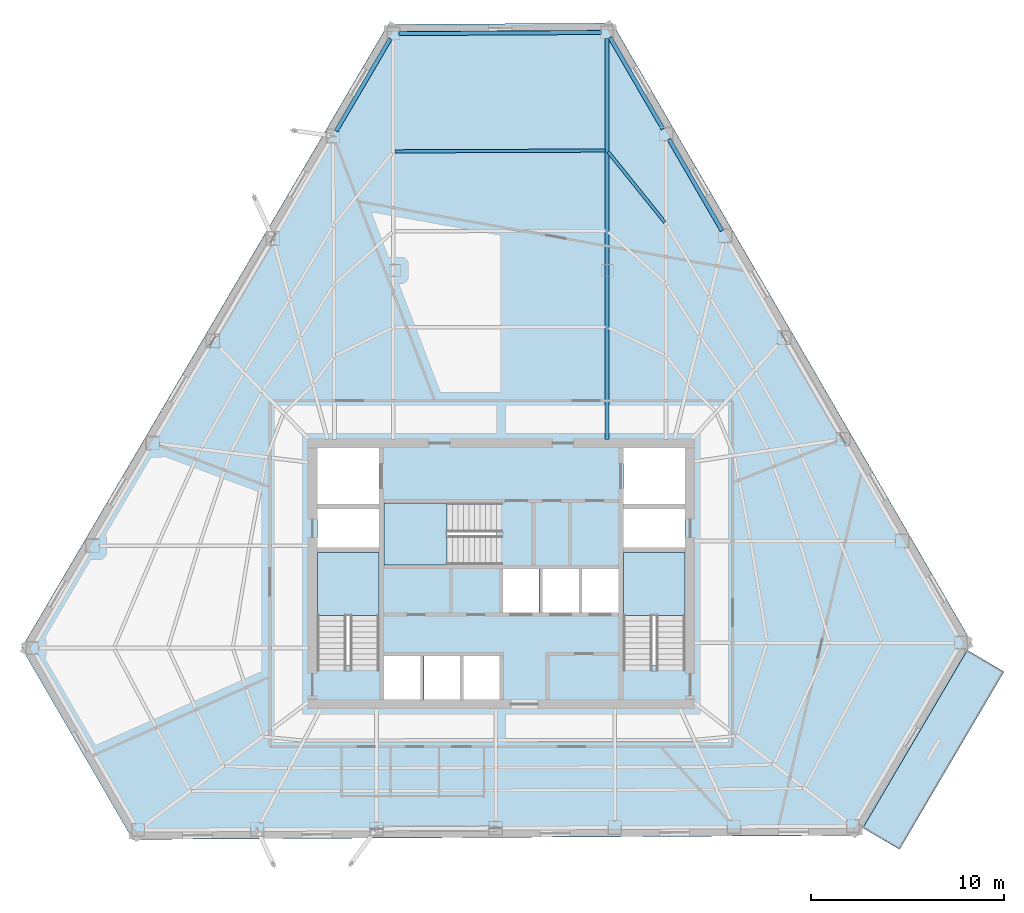
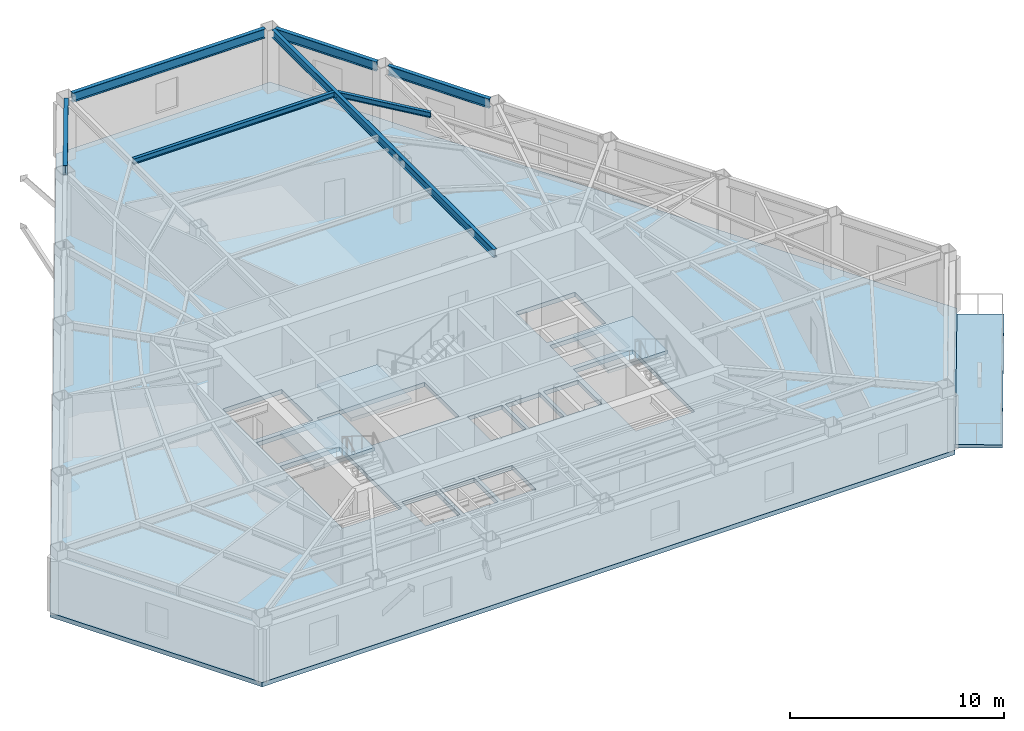
# One storey, part 3 of 11: 7 beams, 5 slabs, 3 elements without a shape of their own.
"""IFC4 building model written with IfcOpenShell, lengths in metres."""

import ifcopenshell
import ifcopenshell.guid

model = None  # the IFC model being written
_history = None  # IfcOwnerHistory: only IFC2X3 demands one
_inside = {}  # id of a spatial element -> (the spatial element, [elements in it])
_under = {}  # id of a project, library or spatial element -> (it, [spatial elements below it])
_declared = {}  # id of a project -> (the project, [libraries it declares])
_typed = {}  # id of a type object -> (the type object, [elements of that type])
_made_of = {}  # id of a material, layer set ... -> (it, [elements and type objects made of it])


def new_model(schema):
    """Start an empty IFC model of exactly this schema.

    Asked for "IFC4X3", IfcOpenShell would pick the latest addendum, in which some entities
    have other attributes; the version numbers below select the first issue.
    IFC2X3 requires an IfcOwnerHistory on every rooted entity: one is made here for all.
    """
    global model, _history
    if schema == "IFC4X3":
        model = ifcopenshell.file(schema_version=(4, 3, 0, 0))
    else:
        model = ifcopenshell.file(schema=schema)
    _inside.clear()
    _under.clear()
    _declared.clear()
    _typed.clear()
    _made_of.clear()
    _history = None
    if model.schema == "IFC2X3":
        org = make("IfcOrganization", Name="unknown")
        user = make(
            "IfcPersonAndOrganization",
            ThePerson=make("IfcPerson", FamilyName="unknown"),
            TheOrganization=org,
        )
        app = make(
            "IfcApplication",
            ApplicationDeveloper=org,
            Version="unknown",
            ApplicationFullName="unknown",
            ApplicationIdentifier="unknown",
        )
        _history = make(
            "IfcOwnerHistory",
            OwningUser=user,
            OwningApplication=app,
            ChangeAction="ADDED",
            CreationDate=0,
        )
    return model


def make(cls, **values):
    """One entity of the class cls with the attributes given. An attribute that is None is left unset."""
    return model.create_entity(
        cls, **{name: value for name, value in values.items() if value is not None}
    )


def rooted(cls, **values):
    """An entity with a GlobalId (a new one), such as an element, a storey or a relation."""
    return make(cls, GlobalId=ifcopenshell.guid.new(), OwnerHistory=_history, **values)


def si_unit(unit_type, name, prefix=None):
    """IfcSIUnit, for example si_unit("LENGTHUNIT", "METRE", prefix="MILLI")."""
    return make("IfcSIUnit", UnitType=unit_type, Prefix=prefix, Name=name)


def assignment(units):
    """IfcUnitAssignment: the units of a project."""
    return None if units is None else make("IfcUnitAssignment", Units=units)


def point(xyz):
    """IfcCartesianPoint."""
    return None if xyz is None else make("IfcCartesianPoint", Coordinates=xyz)


def direction(xyz):
    """IfcDirection."""
    return None if xyz is None else make("IfcDirection", DirectionRatios=xyz)


def frame(location, z_axis=None, x_axis=None):
    """IfcAxis2Placement3D, a coordinate frame: its origin and axes. An axis left out is left unset."""
    return make(
        "IfcAxis2Placement3D",
        Location=point(location),
        Axis=direction(z_axis),
        RefDirection=direction(x_axis),
    )


def frame_2d(location, x_axis=None):
    """IfcAxis2Placement2D, a coordinate frame in the plane: its origin and x axis."""
    return make(
        "IfcAxis2Placement2D", Location=point(location), RefDirection=direction(x_axis)
    )


def origin():
    """The frame at (0, 0, 0) with its axes left unset."""
    return frame((0.0, 0.0, 0.0))


def origin_2d():
    """The frame at (0, 0) in the plane with its x axis left unset."""
    return frame_2d((0.0, 0.0))


def place(relative_to, where):
    """IfcLocalPlacement: puts the frame where relative to a parent placement (None: the world)."""
    return make(
        "IfcLocalPlacement", PlacementRelTo=relative_to, RelativePlacement=where
    )


def context(
    kind, dimensions, precision=None, world=None, true_north=None, identifier=None
):
    """IfcGeometricRepresentationContext, for example the 3D "Model" context."""
    return make(
        "IfcGeometricRepresentationContext",
        ContextIdentifier=identifier,
        ContextType=kind,
        CoordinateSpaceDimension=dimensions,
        Precision=precision,
        WorldCoordinateSystem=world,
        TrueNorth=true_north,
    )


def subcontext(parent, identifier, kind, view, scale=None):
    """IfcGeometricRepresentationSubContext, for example "Body" below "Model"."""
    return make(
        "IfcGeometricRepresentationSubContext",
        ContextIdentifier=identifier,
        ContextType=kind,
        ParentContext=parent,
        TargetScale=scale,
        TargetView=view,
    )


def project(units=None, contexts=None):
    """IfcProject with its units and contexts."""
    return rooted(
        "IfcProject",
        Name="project",
        RepresentationContexts=contexts,
        UnitsInContext=assignment(units),
    )


def spatial(cls, under=None, at=None, **own):
    """A site, building, storey or space (cls), placed at a placement, below another one or the project."""
    s = rooted(cls, ObjectPlacement=at, **own)
    if under is not None:
        _under.setdefault(under.id(), (under, []))[1].append(s)
    return s


def polyline(points):
    """IfcPolyline through the points."""
    return make("IfcPolyline", Points=[point(p) for p in points])


def profile(cls, at=None, kind="AREA", **sizes):
    """A parametric profile (cls). Its sizes go by their IFC names, for example OverallWidth=200.0."""
    return make(cls, ProfileType=kind, Position=at, **sizes)


def i_section(**sizes):
    """IfcIShapeProfileDef."""
    return profile("IfcIShapeProfileDef", **sizes)


def outline(outer, holes=None, kind="AREA"):
    """IfcArbitraryClosedProfileDef: a profile drawn as a closed curve; with holes, ...WithVoids."""
    if holes is None:
        return make("IfcArbitraryClosedProfileDef", ProfileType=kind, OuterCurve=outer)
    return make(
        "IfcArbitraryProfileDefWithVoids",
        ProfileType=kind,
        OuterCurve=outer,
        InnerCurves=holes,
    )


def extrude(swept, where, along, depth):
    """IfcExtrudedAreaSolid: the profile swept, set in the frame where, extruded along a direction by depth."""
    return make(
        "IfcExtrudedAreaSolid",
        SweptArea=swept,
        Position=where,
        ExtrudedDirection=direction(along),
        Depth=depth,
    )


def shape(context_of_items, identifier, shape_type, items):
    """IfcShapeRepresentation: the items that make up one representation, for example the "Body"."""
    return make(
        "IfcShapeRepresentation",
        ContextOfItems=context_of_items,
        RepresentationIdentifier=identifier,
        RepresentationType=shape_type,
        Items=items,
    )


def material(Name=None, Category=None):
    """IfcMaterial."""
    return make("IfcMaterial", Name=Name, Category=Category)


def layer(
    of_material, thickness, ventilated=None, Name=None, Category=None, Priority=None
):
    """IfcMaterialLayer: one layer of a wall or slab, of a material (None: an air gap)."""
    return make(
        "IfcMaterialLayer",
        Material=of_material,
        LayerThickness=thickness,
        IsVentilated=ventilated,
        Name=Name,
        Category=Category,
        Priority=Priority,
    )


def layer_set(layers, Name=None):
    """IfcMaterialLayerSet."""
    return make("IfcMaterialLayerSet", MaterialLayers=layers, LayerSetName=Name)


def material_profile(
    of_material, cross_section, Name=None, Category=None, Priority=None
):
    """IfcMaterialProfile: a cross section and its material."""
    return make(
        "IfcMaterialProfile",
        Name=Name,
        Material=of_material,
        Profile=cross_section,
        Priority=Priority,
        Category=Category,
    )


def profile_set(profiles, Name=None, composite=None):
    """IfcMaterialProfileSet."""
    return make(
        "IfcMaterialProfileSet",
        Name=Name,
        MaterialProfiles=profiles,
        CompositeProfile=composite,
    )


def made_of(thing, what):
    """Note that an element or type object is made of a material, layer set ...; save() writes the relation."""
    if what is not None:
        _made_of.setdefault(what.id(), (what, []))[1].append(thing)
    return thing


def type_object(cls, material=None, **own):
    """A type object (cls), such as IfcWallType, which elements share."""
    return made_of(rooted(cls, **own), material)


def element(
    cls,
    number,
    at=None,
    inside=None,
    cuts=None,
    type_object=None,
    material=None,
    context=None,
    identifier="Body",
    shape_type=None,
    held_by="IfcProductDefinitionShape",
    body=None,
    shapes=None,
    **own,
):
    """One element of the class cls, such as IfcWall. Its Tag is "e" and its number.

    at: its placement. inside: the storey or other place that contains it. cuts: it is an
    opening in that element (IfcRelVoidsElement). A single representation is given by context,
    identifier, shape_type and body (its items); several are given by shapes. held_by: the class
    of the entity that holds the representations. save() writes the other relations.
    """
    e = rooted(cls, Tag="e%d" % number, ObjectPlacement=at, **own)
    if body is not None:
        shapes = [shape(context, identifier, shape_type, body)]
    if shapes is not None:
        e.Representation = make(held_by, Representations=shapes)
    if inside is not None:
        _inside.setdefault(inside.id(), (inside, []))[1].append(e)
    if cuts is not None:
        rooted(
            "IfcRelVoidsElement", RelatingBuildingElement=cuts, RelatedOpeningElement=e
        )
    if type_object is not None:
        _typed.setdefault(type_object.id(), (type_object, []))[1].append(e)
    return made_of(e, material)


def aggregate(whole, parts):
    """IfcRelAggregates: a whole, such as a stair, and the parts it consists of."""
    return rooted("IfcRelAggregates", RelatingObject=whole, RelatedObjects=parts)


def save(model, path):
    """Write the relations noted so far, then the file.

    IfcRelAggregates (storeys below a building ...), IfcRelContainedInSpatialStructure (elements
    in a storey), IfcRelDefinesByType, IfcRelAssociatesMaterial and IfcRelDeclares: one each for
    every whole, place, type object, material and project.
    """
    for whole, parts in _under.values():
        aggregate(whole, parts)
    for where, things in _inside.values():
        rooted(
            "IfcRelContainedInSpatialStructure",
            RelatedElements=things,
            RelatingStructure=where,
        )
    for kind, things in _typed.values():
        rooted("IfcRelDefinesByType", RelatedObjects=things, RelatingType=kind)
    for what, things in _made_of.values():
        rooted("IfcRelAssociatesMaterial", RelatedObjects=things, RelatingMaterial=what)
    for by, libraries in _declared.values():
        rooted("IfcRelDeclares", RelatingContext=by, RelatedDefinitions=libraries)
    model.write(path)


model = new_model("IFC4")

# Units and contexts
model_context = context("Model", 3, precision=1e-05, world=origin(), true_north=direction((0.0, 1.0)))
body_context = subcontext(model_context, "Body", "Model", "MODEL_VIEW")
ifc_project = project(units=[si_unit("LENGTHUNIT", "METRE"), si_unit("AREAUNIT", "SQUARE_METRE"), si_unit("VOLUMEUNIT", "CUBIC_METRE"), si_unit("PLANEANGLEUNIT", "RADIAN"), si_unit("MASSUNIT", "GRAM", prefix="KILO")], contexts=[model_context])

# Site, building, storey
site_placement = place(None, origin())
site = spatial("IfcSite", under=ifc_project, at=site_placement, CompositionType="ELEMENT")
building_placement = place(site_placement, origin())
building = spatial("IfcBuilding", under=site, at=building_placement, Name="Kavelnor Concourse Tower", CompositionType="ELEMENT")
storey_placement = place(building_placement, frame((0.0, 0.0, 139.39990234375)))
storey = spatial("IfcBuildingStorey", under=building, at=storey_placement, Name="L35", CompositionType="ELEMENT", Elevation=139.39990234375)

# Beams
ifc_material_1 = material(Name="Steel Grade 350", Category="steel")
ifc_material_profile_1 = material_profile(ifc_material_1, i_section(OverallWidth=0.166015625, OverallDepth=0.306884765625, WebThickness=0.006591796875, FlangeThickness=0.01171875, at=origin_2d()), Name="310UB46")
ifc_profile_set_1 = profile_set([ifc_material_profile_1], Name="Steel Grade 350")
beam_type_1 = type_object("IfcBeamType", Name="BM-JOIST-310", PredefinedType="JOIST", material=ifc_profile_set_1)
beam_1_placement = place(storey_placement, frame((46.47119140625, 34.28271484375, 3.446533203125), z_axis=(-0.627409366282, 0.778689596117, 0.0), x_axis=(-0.778689596117, -0.627409366282, 0.0)))
element("IfcBeam", 1, at=beam_1_placement, inside=storey, type_object=beam_type_1, Name="L35 Secondary Composite Joist 14-3", PredefinedType="JOIST", context=body_context, shape_type="SweptSolid", body=[
    extrude(i_section(OverallWidth=0.166015625, OverallDepth=0.306884765625, WebThickness=0.006591796875, FlangeThickness=0.01171875, at=origin_2d()), origin(), (0.0, 0.0, 1.0), 4.688232421875),
])
beam_2_placement = place(storey_placement, frame((43.385009765625, 38.002197265625, 3.446533203125), z_axis=(-0.99999202592, -0.0039935067, 0.0), x_axis=(0.0039935067, -0.99999202592, 0.0)))
element("IfcBeam", 2, at=beam_2_placement, inside=storey, type_object=beam_type_1, Name="L35 Secondary Composite Joist 15-3", PredefinedType="JOIST", context=body_context, shape_type="SweptSolid", body=[
    extrude(i_section(OverallWidth=0.166015625, OverallDepth=0.306884765625, WebThickness=0.006591796875, FlangeThickness=0.01171875, at=origin_2d()), origin(), (0.0, 0.0, 1.0), 10.8818359375),
])
ifc_material_profile_2 = material_profile(ifc_material_1, i_section(OverallWidth=0.18994140625, OverallDepth=0.4541015625, WebThickness=0.008544921875, FlangeThickness=0.0126953125, at=origin_2d()), Name="460UB67")
ifc_profile_set_2 = profile_set([ifc_material_profile_2], Name="Steel Grade 350")
beam_type_2 = type_object("IfcBeamType", Name="BM-PRIMARY-460", PredefinedType="BEAM", material=ifc_profile_set_2)
beam_3_placement = place(storey_placement, frame((43.47412109375, 23.06005859375, 3.373046875), z_axis=(0.0, 1.0, 0.0), x_axis=(-1.0, 0.0, 0.0)))
element("IfcBeam", 3, at=beam_3_placement, inside=storey, type_object=beam_type_2, Name="L35 Primary Floor Girder F2-B6", PredefinedType="BEAM", context=body_context, shape_type="SweptSolid", body=[
    extrude(i_section(OverallWidth=0.18994140625, OverallDepth=0.4541015625, WebThickness=0.008544921875, FlangeThickness=0.0126953125, at=origin_2d()), origin(), (0.0, 0.0, 1.0), 20.753662109375),
])
ifc_material_profile_3 = material_profile(ifc_material_1, i_section(OverallWidth=0.208984375, OverallDepth=0.532958984375, WebThickness=0.01025390625, FlangeThickness=0.015625, at=origin_2d()), Name="530UB92")
ifc_profile_set_3 = profile_set([ifc_material_profile_3], Name="Steel Grade 350")
beam_type_3 = type_object("IfcBeamType", Name="BM-SPANDREL-Z2", PredefinedType="SPANDREL", material=ifc_profile_set_3)
beam_4_placement = place(storey_placement, frame((32.259521484375, 43.7890625, 3.33349609375), z_axis=(-0.50661339106, -0.862173342199, 0.0), x_axis=(0.862173342199, -0.50661339106, 0.0)))
element("IfcBeam", 4, at=beam_4_placement, inside=storey, type_object=beam_type_3, Name="L35 Perimeter Tube Spandrel Beam F0-B0", PredefinedType="SPANDREL", context=body_context, shape_type="SweptSolid", body=[
    extrude(i_section(OverallWidth=0.208984375, OverallDepth=0.532958984375, WebThickness=0.01025390625, FlangeThickness=0.015625, at=origin_2d()), origin(), (0.0, 0.0, 1.0), 5.53564453125),
])
beam_5_placement = place(storey_placement, frame((43.1689453125, 44.112060546875, 3.33349609375), z_axis=(-0.999984411396, -0.005583633725, 0.0), x_axis=(0.005583633725, -0.999984411396, 0.0)))
element("IfcBeam", 5, at=beam_5_placement, inside=storey, type_object=beam_type_3, Name="L35 Chamfer Facet Spandrel Beam C0", PredefinedType="SPANDREL", context=body_context, shape_type="SweptSolid", body=[
    extrude(i_section(OverallWidth=0.208984375, OverallDepth=0.532958984375, WebThickness=0.01025390625, FlangeThickness=0.015625, at=origin_2d()), origin(), (0.0, 0.0, 1.0), 10.4501953125),
])
for number, where, z_axis, x_axis, name in (
    (6, (49.42724609375, 33.8515625, 3.33349609375), (-0.501795506942, 0.864986282673, 0.0), (-0.864986282673, -0.501795506942, 0.0), "L35 Perimeter Tube Spandrel Beam F2-B4"),
    (7, (46.3740234375, 39.114501953125, 3.33349609375), (-0.501795506942, 0.864986282673, 0.0), (-0.864986282673, -0.501795506942, 0.0), "L35 Perimeter Tube Spandrel Beam F2-B5"),
):
    element("IfcBeam", number, at=place(storey_placement, frame(where, z_axis=z_axis, x_axis=x_axis)), inside=storey, type_object=beam_type_3, Name=name, PredefinedType="SPANDREL", context=body_context, shape_type="SweptSolid", body=[
        extrude(i_section(OverallWidth=0.208984375, OverallDepth=0.532958984375, WebThickness=0.01025390625, FlangeThickness=0.015625, at=origin_2d()), origin(), (0.0, 0.0, 1.0), 5.474365234375),
    ])

# Stair, slab
ifc_material_2 = material(Name="Concrete C40/50", Category="concrete")
stair_type = type_object("IfcStairType", Name="STR-CORE-1500", PredefinedType="HALF_TURN_STAIR", material=ifc_material_2)
stair_1_placement = place(storey_placement, origin())
stair_1 = element("IfcStair", 8, at=stair_1_placement, inside=storey, type_object=stair_type, Name="L35 ST1", PredefinedType="HALF_TURN_STAIR")
ifc_layer_1 = layer(ifc_material_2, 0.199951171875, Name="Concrete C40/50")
ifc_layer_set_1 = layer_set([ifc_layer_1], Name="Concrete C40/50")
slab_type_1 = type_object("IfcSlabType", Name="SLB-LANDING-200", PredefinedType="LANDING", material=ifc_layer_set_1)
slab_1_placement = place(storey_placement, frame((0.0, 0.0, 1.72509765625)))
slab_1 = element("IfcSlab", 9, at=slab_1_placement, type_object=slab_type_1, Name="ST1 landing 1", PredefinedType="LANDING", context=body_context, shape_type="SweptSolid", body=[
    extrude(outline(polyline([(31.679931640625, 13.949951171875), (31.679931640625, 17.199951171875), (28.47998046875, 17.199951171875), (28.47998046875, 13.949951171875), (31.679931640625, 13.949951171875)])), origin(), (0.0, 0.0, 1.0), 0.199951171875),
])
aggregate(stair_1, [slab_1])

stair_2_placement = place(storey_placement, origin())
stair_2 = element("IfcStair", 10, at=stair_2_placement, inside=storey, type_object=stair_type, Name="L35 ST2", PredefinedType="HALF_TURN_STAIR")
slab_2_placement = place(storey_placement, frame((0.0, 0.0, 1.72509765625)))
slab_2 = element("IfcSlab", 11, at=slab_2_placement, type_object=slab_type_1, Name="ST2 landing 1", PredefinedType="LANDING", context=body_context, shape_type="SweptSolid", body=[
    extrude(outline(polyline([(47.52001953125, 13.949951171875), (47.52001953125, 17.199951171875), (44.320068359375, 17.199951171875), (44.320068359375, 13.949951171875), (47.52001953125, 13.949951171875)])), origin(), (0.0, 0.0, 1.0), 0.199951171875),
])
aggregate(stair_2, [slab_2])

stair_3_placement = place(storey_placement, origin())
stair_3 = element("IfcStair", 12, at=stair_3_placement, inside=storey, type_object=stair_type, Name="L35 ST3", PredefinedType="HALF_TURN_STAIR")
slab_3_placement = place(storey_placement, frame((0.0, 0.0, 1.72509765625)))
slab_3 = element("IfcSlab", 13, at=slab_3_placement, type_object=slab_type_1, Name="ST3 landing 1", PredefinedType="LANDING", context=body_context, shape_type="SweptSolid", body=[
    extrude(outline(polyline([(35.18994140625, 19.760009765625), (31.93994140625, 19.760009765625), (31.93994140625, 16.56005859375), (35.18994140625, 16.56005859375), (35.18994140625, 19.760009765625)])), origin(), (0.0, 0.0, 1.0), 0.199951171875),
])
aggregate(stair_3, [slab_3])

# Slabs
ifc_layer_2 = layer(ifc_material_2, 0.25, Name="Concrete C40/50")
ifc_layer_set_2 = layer_set([ifc_layer_2], Name="Concrete C40/50")
slab_type_2 = type_object("IfcSlabType", Name="SLB-OFFICE-250", PredefinedType="FLOOR", material=ifc_layer_set_2)
slab_4_placement = place(storey_placement, frame((0.0, 0.0, -0.25)))
element("IfcSlab", 14, at=slab_4_placement, inside=storey, type_object=slab_type_2, Name="L35 Composite Structural Floor Slab", PredefinedType="FLOOR", context=body_context, shape_type="SweptSolid", body=[
    extrude(outline(polyline([(43.74951171875, 44.59521484375), (32.138427734375, 44.530517578125), (13.177734375, 12.260498046875), (18.92724609375, 2.349365234375), (56.48681640625, 2.558349609375), (62.348388671875, 12.5341796875), (43.74951171875, 44.59521484375)]), holes=[polyline([(28.47998046875, 11.3798828125), (31.679931640625, 11.3798828125), (31.679931640625, 17.199951171875), (28.47998046875, 17.199951171875), (28.47998046875, 11.3798828125)]), polyline([(44.320068359375, 11.3798828125), (47.52001953125, 11.3798828125), (47.52001953125, 17.199951171875), (44.320068359375, 17.199951171875), (44.320068359375, 11.3798828125)]), polyline([(31.93994140625, 16.56005859375), (37.760009765625, 16.56005859375), (37.760009765625, 19.760009765625), (31.93994140625, 19.760009765625), (31.93994140625, 16.56005859375)]), polyline([(28.47998046875, 19.699951171875), (31.679931640625, 19.699951171875), (31.679931640625, 22.60009765625), (28.47998046875, 22.60009765625), (28.47998046875, 19.699951171875)]), polyline([(44.320068359375, 19.699951171875), (47.52001953125, 19.699951171875), (47.52001953125, 22.60009765625), (44.320068359375, 22.60009765625), (44.320068359375, 19.699951171875)]), polyline([(38.090087890625, 14.10009765625), (39.9599609375, 14.10009765625), (39.9599609375, 16.340087890625), (38.090087890625, 16.340087890625), (38.090087890625, 14.10009765625)]), polyline([(40.139892578125, 14.10009765625), (42.010009765625, 14.10009765625), (42.010009765625, 16.340087890625), (40.139892578125, 16.340087890625), (40.139892578125, 14.10009765625)]), polyline([(42.18994140625, 14.10009765625), (44.06005859375, 14.10009765625), (44.06005859375, 16.340087890625), (42.18994140625, 16.340087890625), (42.18994140625, 14.10009765625)]), polyline([(31.93994140625, 9.60009765625), (33.81005859375, 9.60009765625), (33.81005859375, 11.840087890625), (31.93994140625, 11.840087890625), (31.93994140625, 9.60009765625)]), polyline([(33.989990234375, 9.60009765625), (35.860107421875, 9.60009765625), (35.860107421875, 11.840087890625), (33.989990234375, 11.840087890625), (33.989990234375, 9.60009765625)]), polyline([(36.0400390625, 9.60009765625), (37.909912109375, 9.60009765625), (37.909912109375, 11.840087890625), (36.0400390625, 11.840087890625), (36.0400390625, 9.60009765625)]), polyline([(28.47998046875, 17.4599609375), (31.679931640625, 17.4599609375), (31.679931640625, 19.43994140625), (28.47998046875, 19.43994140625), (28.47998046875, 17.4599609375)]), polyline([(44.320068359375, 17.4599609375), (47.52001953125, 17.4599609375), (47.52001953125, 19.43994140625), (44.320068359375, 19.43994140625), (44.320068359375, 17.4599609375)])]), origin(), (0.0, 0.0, 1.0), 0.25),
])
ifc_layer_3 = layer(ifc_material_2, 0.18994140625, Name="Concrete C40/50")
ifc_layer_set_3 = layer_set([ifc_layer_3], Name="Concrete C40/50")
slab_type_3 = type_object("IfcSlabType", Name="SLB-TERRACE-190", PredefinedType="FLOOR", material=ifc_layer_set_3)
slab_5_placement = place(storey_placement, frame((0.0, 0.0, -0.18994140625)))
element("IfcSlab", 15, at=slab_5_placement, inside=storey, type_object=slab_type_3, Name="L35 Spiralling Sky Terrace Slab", PredefinedType="FLOOR", context=body_context, shape_type="SweptSolid", body=[
    extrude(outline(polyline([(64.01708984375, 11.03173828125), (58.611572265625, 1.831787109375), (56.71484375, 2.9462890625), (62.120361328125, 12.146240234375), (64.01708984375, 11.03173828125)])), origin(), (0.0, 0.0, 1.0), 0.18994140625),
])

save(model, "model.ifc")
